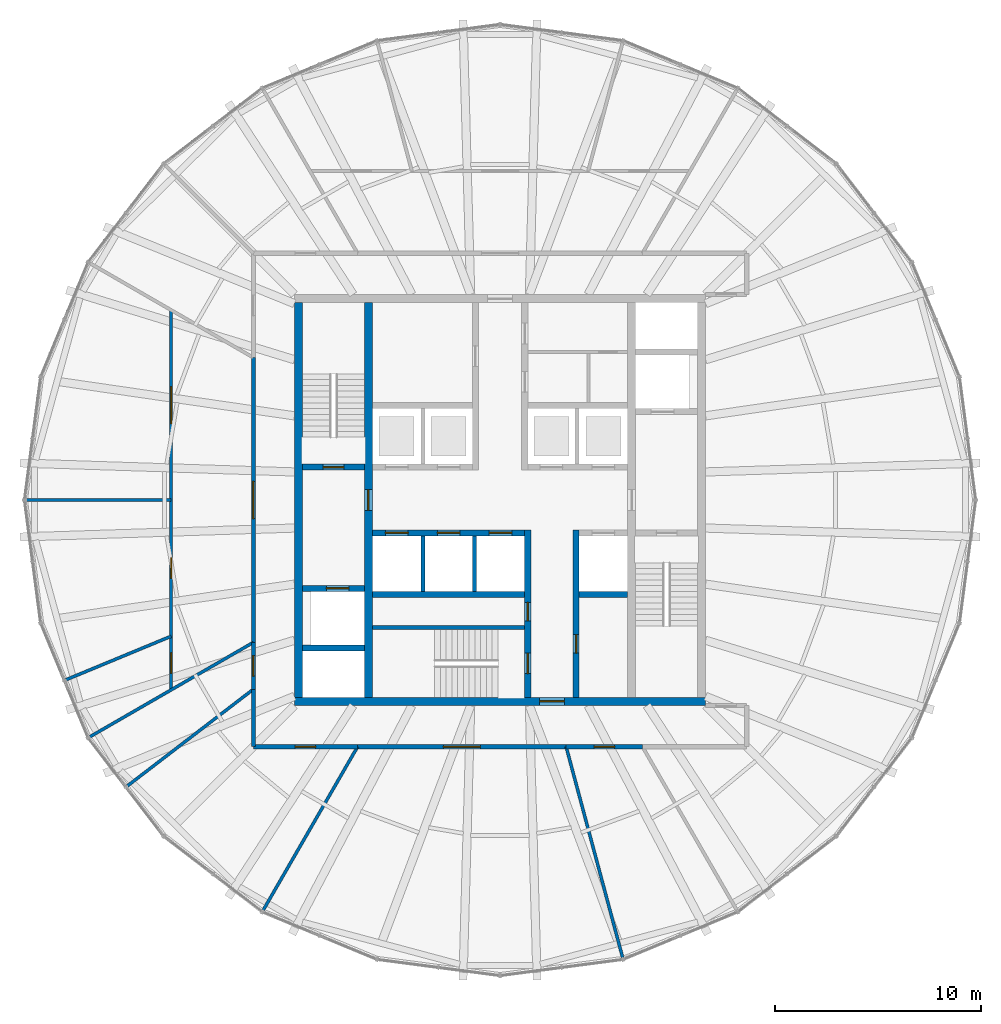
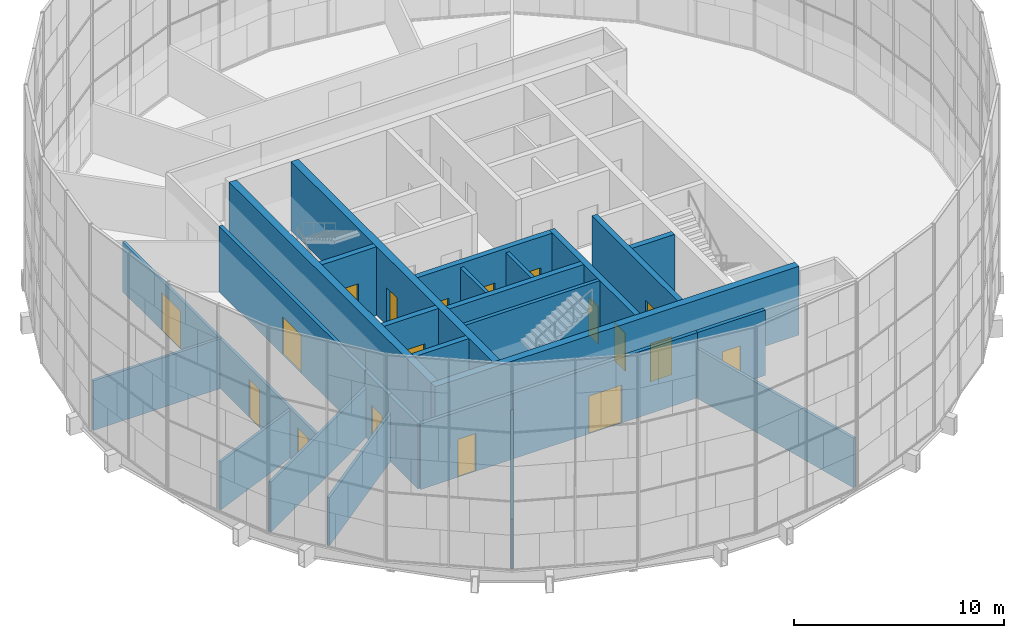
# One storey, part 19 of 23: 27 walls, 18 doors, 18 openings.
"""IFC4 building model written with IfcOpenShell, lengths in metres."""

import ifcopenshell
import ifcopenshell.guid

model = None  # the IFC model being written
_history = None  # IfcOwnerHistory: only IFC2X3 demands one
_inside = {}  # id of a spatial element -> (the spatial element, [elements in it])
_under = {}  # id of a project, library or spatial element -> (it, [spatial elements below it])
_declared = {}  # id of a project -> (the project, [libraries it declares])
_typed = {}  # id of a type object -> (the type object, [elements of that type])
_made_of = {}  # id of a material, layer set ... -> (it, [elements and type objects made of it])


def new_model(schema):
    """Start an empty IFC model of exactly this schema.

    Asked for "IFC4X3", IfcOpenShell would pick the latest addendum, in which some entities
    have other attributes; the version numbers below select the first issue.
    IFC2X3 requires an IfcOwnerHistory on every rooted entity: one is made here for all.
    """
    global model, _history
    if schema == "IFC4X3":
        model = ifcopenshell.file(schema_version=(4, 3, 0, 0))
    else:
        model = ifcopenshell.file(schema=schema)
    _inside.clear()
    _under.clear()
    _declared.clear()
    _typed.clear()
    _made_of.clear()
    _history = None
    if model.schema == "IFC2X3":
        org = make("IfcOrganization", Name="unknown")
        user = make(
            "IfcPersonAndOrganization",
            ThePerson=make("IfcPerson", FamilyName="unknown"),
            TheOrganization=org,
        )
        app = make(
            "IfcApplication",
            ApplicationDeveloper=org,
            Version="unknown",
            ApplicationFullName="unknown",
            ApplicationIdentifier="unknown",
        )
        _history = make(
            "IfcOwnerHistory",
            OwningUser=user,
            OwningApplication=app,
            ChangeAction="ADDED",
            CreationDate=0,
        )
    return model


def make(cls, **values):
    """One entity of the class cls with the attributes given. An attribute that is None is left unset."""
    return model.create_entity(
        cls, **{name: value for name, value in values.items() if value is not None}
    )


def rooted(cls, **values):
    """An entity with a GlobalId (a new one), such as an element, a storey or a relation."""
    return make(cls, GlobalId=ifcopenshell.guid.new(), OwnerHistory=_history, **values)


def si_unit(unit_type, name, prefix=None):
    """IfcSIUnit, for example si_unit("LENGTHUNIT", "METRE", prefix="MILLI")."""
    return make("IfcSIUnit", UnitType=unit_type, Prefix=prefix, Name=name)


def assignment(units):
    """IfcUnitAssignment: the units of a project."""
    return None if units is None else make("IfcUnitAssignment", Units=units)


def point(xyz):
    """IfcCartesianPoint."""
    return None if xyz is None else make("IfcCartesianPoint", Coordinates=xyz)


def direction(xyz):
    """IfcDirection."""
    return None if xyz is None else make("IfcDirection", DirectionRatios=xyz)


def frame(location, z_axis=None, x_axis=None):
    """IfcAxis2Placement3D, a coordinate frame: its origin and axes. An axis left out is left unset."""
    return make(
        "IfcAxis2Placement3D",
        Location=point(location),
        Axis=direction(z_axis),
        RefDirection=direction(x_axis),
    )


def frame_2d(location, x_axis=None):
    """IfcAxis2Placement2D, a coordinate frame in the plane: its origin and x axis."""
    return make(
        "IfcAxis2Placement2D", Location=point(location), RefDirection=direction(x_axis)
    )


def origin():
    """The frame at (0, 0, 0) with its axes left unset."""
    return frame((0.0, 0.0, 0.0))


def place(relative_to, where):
    """IfcLocalPlacement: puts the frame where relative to a parent placement (None: the world)."""
    return make(
        "IfcLocalPlacement", PlacementRelTo=relative_to, RelativePlacement=where
    )


def context(
    kind, dimensions, precision=None, world=None, true_north=None, identifier=None
):
    """IfcGeometricRepresentationContext, for example the 3D "Model" context."""
    return make(
        "IfcGeometricRepresentationContext",
        ContextIdentifier=identifier,
        ContextType=kind,
        CoordinateSpaceDimension=dimensions,
        Precision=precision,
        WorldCoordinateSystem=world,
        TrueNorth=true_north,
    )


def subcontext(parent, identifier, kind, view, scale=None):
    """IfcGeometricRepresentationSubContext, for example "Body" below "Model"."""
    return make(
        "IfcGeometricRepresentationSubContext",
        ContextIdentifier=identifier,
        ContextType=kind,
        ParentContext=parent,
        TargetScale=scale,
        TargetView=view,
    )


def project(units=None, contexts=None):
    """IfcProject with its units and contexts."""
    return rooted(
        "IfcProject",
        Name="project",
        RepresentationContexts=contexts,
        UnitsInContext=assignment(units),
    )


def spatial(cls, under=None, at=None, **own):
    """A site, building, storey or space (cls), placed at a placement, below another one or the project."""
    s = rooted(cls, ObjectPlacement=at, **own)
    if under is not None:
        _under.setdefault(under.id(), (under, []))[1].append(s)
    return s


def profile(cls, at=None, kind="AREA", **sizes):
    """A parametric profile (cls). Its sizes go by their IFC names, for example OverallWidth=200.0."""
    return make(cls, ProfileType=kind, Position=at, **sizes)


def rectangle(**sizes):
    """IfcRectangleProfileDef."""
    return profile("IfcRectangleProfileDef", **sizes)


def extrude(swept, where, along, depth):
    """IfcExtrudedAreaSolid: the profile swept, set in the frame where, extruded along a direction by depth."""
    return make(
        "IfcExtrudedAreaSolid",
        SweptArea=swept,
        Position=where,
        ExtrudedDirection=direction(along),
        Depth=depth,
    )


def shape(context_of_items, identifier, shape_type, items):
    """IfcShapeRepresentation: the items that make up one representation, for example the "Body"."""
    return make(
        "IfcShapeRepresentation",
        ContextOfItems=context_of_items,
        RepresentationIdentifier=identifier,
        RepresentationType=shape_type,
        Items=items,
    )


def material(Name=None, Category=None):
    """IfcMaterial."""
    return make("IfcMaterial", Name=Name, Category=Category)


def layer(
    of_material, thickness, ventilated=None, Name=None, Category=None, Priority=None
):
    """IfcMaterialLayer: one layer of a wall or slab, of a material (None: an air gap)."""
    return make(
        "IfcMaterialLayer",
        Material=of_material,
        LayerThickness=thickness,
        IsVentilated=ventilated,
        Name=Name,
        Category=Category,
        Priority=Priority,
    )


def layer_set(layers, Name=None):
    """IfcMaterialLayerSet."""
    return make("IfcMaterialLayerSet", MaterialLayers=layers, LayerSetName=Name)


def made_of(thing, what):
    """Note that an element or type object is made of a material, layer set ...; save() writes the relation."""
    if what is not None:
        _made_of.setdefault(what.id(), (what, []))[1].append(thing)
    return thing


def type_object(cls, material=None, **own):
    """A type object (cls), such as IfcWallType, which elements share."""
    return made_of(rooted(cls, **own), material)


def element(
    cls,
    number,
    at=None,
    inside=None,
    cuts=None,
    type_object=None,
    material=None,
    context=None,
    identifier="Body",
    shape_type=None,
    held_by="IfcProductDefinitionShape",
    body=None,
    shapes=None,
    **own,
):
    """One element of the class cls, such as IfcWall. Its Tag is "e" and its number.

    at: its placement. inside: the storey or other place that contains it. cuts: it is an
    opening in that element (IfcRelVoidsElement). A single representation is given by context,
    identifier, shape_type and body (its items); several are given by shapes. held_by: the class
    of the entity that holds the representations. save() writes the other relations.
    """
    e = rooted(cls, Tag="e%d" % number, ObjectPlacement=at, **own)
    if body is not None:
        shapes = [shape(context, identifier, shape_type, body)]
    if shapes is not None:
        e.Representation = make(held_by, Representations=shapes)
    if inside is not None:
        _inside.setdefault(inside.id(), (inside, []))[1].append(e)
    if cuts is not None:
        rooted(
            "IfcRelVoidsElement", RelatingBuildingElement=cuts, RelatedOpeningElement=e
        )
    if type_object is not None:
        _typed.setdefault(type_object.id(), (type_object, []))[1].append(e)
    return made_of(e, material)


def fill(opening, filler):
    """IfcRelFillsElement: the door or window that sits in an opening."""
    return rooted(
        "IfcRelFillsElement",
        RelatingOpeningElement=opening,
        RelatedBuildingElement=filler,
    )


def aggregate(whole, parts):
    """IfcRelAggregates: a whole, such as a stair, and the parts it consists of."""
    return rooted("IfcRelAggregates", RelatingObject=whole, RelatedObjects=parts)


def save(model, path):
    """Write the relations noted so far, then the file.

    IfcRelAggregates (storeys below a building ...), IfcRelContainedInSpatialStructure (elements
    in a storey), IfcRelDefinesByType, IfcRelAssociatesMaterial and IfcRelDeclares: one each for
    every whole, place, type object, material and project.
    """
    for whole, parts in _under.values():
        aggregate(whole, parts)
    for where, things in _inside.values():
        rooted(
            "IfcRelContainedInSpatialStructure",
            RelatedElements=things,
            RelatingStructure=where,
        )
    for kind, things in _typed.values():
        rooted("IfcRelDefinesByType", RelatedObjects=things, RelatingType=kind)
    for what, things in _made_of.values():
        rooted("IfcRelAssociatesMaterial", RelatedObjects=things, RelatingMaterial=what)
    for by, libraries in _declared.values():
        rooted("IfcRelDeclares", RelatingContext=by, RelatedDefinitions=libraries)
    model.write(path)


model = new_model("IFC4")

# Units and contexts
model_context = context("Model", 3, precision=1e-05, world=origin(), true_north=direction((0.0, 1.0)))
body_context = subcontext(model_context, "Body", "Model", "MODEL_VIEW")
ifc_project = project(units=[si_unit("LENGTHUNIT", "METRE"), si_unit("AREAUNIT", "SQUARE_METRE"), si_unit("VOLUMEUNIT", "CUBIC_METRE"), si_unit("PLANEANGLEUNIT", "RADIAN"), si_unit("MASSUNIT", "GRAM", prefix="KILO")], contexts=[model_context])

# Site, building, storey
site_placement = place(None, origin())
site = spatial("IfcSite", under=ifc_project, at=site_placement, CompositionType="ELEMENT")
building_placement = place(site_placement, origin())
building = spatial("IfcBuilding", under=site, at=building_placement, Name="Golbaran Civic Tower", CompositionType="ELEMENT")
storey_placement = place(building_placement, frame((0.0, 0.0, 220.0)))
storey = spatial("IfcBuildingStorey", under=building, at=storey_placement, Name="L53", CompositionType="ELEMENT", Elevation=220.0)

# Wall, opening, door
ifc_material_1 = material(Name="Concrete C50/60", Category="concrete")
ifc_layer_1 = layer(ifc_material_1, 0.39990234375, Name="Concrete C50/60")
ifc_layer_set_1 = layer_set([ifc_layer_1], Name="Concrete C50/60")
wall_type_1 = type_object("IfcWallType", Name="CORE WALL CONCRETE 400", PredefinedType="SOLIDWALL", material=ifc_layer_set_1)
wall_1_placement = place(storey_placement, frame((10.0, -9.800048828125, 0.0), z_axis=(0.0, 0.0, 1.0), x_axis=(-1.0, 0.0, 0.0)))
wall_1 = element("IfcWall", 1, at=wall_1_placement, inside=storey, type_object=wall_type_1, Name="Core wall CS L53", PredefinedType="SOLIDWALL", context=body_context, shape_type="SweptSolid", body=[
    extrude(rectangle(XDim=20.0, YDim=0.39990234375, at=frame_2d((10.0, 0.0))), origin(), (0.0, 0.0, 1.0), 4.0),
])
opening_1_placement = place(wall_1_placement, frame((6.875, 0.0, 0.0)))
opening_1 = element("IfcOpeningElement", 2, at=opening_1_placement, cuts=wall_1, Name="Opening L53.CS", PredefinedType="OPENING", context=body_context, shape_type="SweptSolid", body=[
    extrude(rectangle(XDim=1.199951171875, YDim=2.199951171875, at=frame_2d((0.60009765625, 1.10009765625))), frame((0.0, 0.2099609375, 0.0), z_axis=(0.0, -1.0, 0.0), x_axis=(1.0, 0.0, 0.0)), (0.0, 0.0, 1.0), 0.419921875),
])
ifc_material_2 = material(Name="Timber door set in steel frame", Category="steel")
door_type_1 = type_object("IfcDoorType", Name="CORE DOOR 1200x2200", OperationType="DOUBLE_DOOR_SINGLE_SWING", PredefinedType="DOOR", material=ifc_material_2)
door_1_placement = place(opening_1_placement, origin())
door_1 = element("IfcDoor", 3, at=door_1_placement, inside=storey, type_object=door_type_1, Name="Core door south", OperationType="DOUBLE_DOOR_SINGLE_SWING", OverallHeight=2.199951171875, OverallWidth=1.199951171875, PredefinedType="DOOR", context=body_context, shape_type="SweptSolid", body=[
    extrude(rectangle(XDim=1.199951171875, YDim=2.199951171875, at=frame_2d((0.60009765625, 1.10009765625))), frame((0.0, 0.02490234375, 0.0), z_axis=(0.0, -1.0, 0.0), x_axis=(1.0, 0.0, 0.0)), (0.0, 0.0, 1.0), 0.050048828125),
])
fill(opening_1, door_1)

# Wall
wall_2_placement = place(storey_placement, frame((-9.800048828125, 9.60009765625, 0.0), z_axis=(0.0, 0.0, 1.0), x_axis=(0.0, -1.0, 0.0)))
element("IfcWall", 4, at=wall_2_placement, inside=storey, type_object=wall_type_1, Name="Core wall CW L53", PredefinedType="SOLIDWALL", context=body_context, shape_type="SweptSolid", body=[
    extrude(rectangle(XDim=19.2001953125, YDim=0.39990234375, at=frame_2d((9.60009765625, 0.0))), origin(), (0.0, 0.0, 1.0), 4.0),
])

# Wall, opening, door
wall_3_placement = place(storey_placement, frame((-6.39990234375, -9.60009765625, 0.0), z_axis=(0.0, 0.0, 1.0), x_axis=(0.0, 1.0, 0.0)))
wall_3 = element("IfcWall", 5, at=wall_3_placement, inside=storey, type_object=wall_type_1, Name="Core wall IW L53", PredefinedType="SOLIDWALL", context=body_context, shape_type="SweptSolid", body=[
    extrude(rectangle(XDim=19.2001953125, YDim=0.39990234375, at=frame_2d((9.60009765625, 0.0))), origin(), (0.0, 0.0, 1.0), 4.0),
])
opening_2_placement = place(wall_3_placement, frame((9.10009765625, 0.0, 0.0)))
opening_2 = element("IfcOpeningElement", 6, at=opening_2_placement, cuts=wall_3, Name="Opening L53.FL1", PredefinedType="OPENING", context=body_context, shape_type="SweptSolid", body=[
    extrude(rectangle(XDim=1.0, YDim=2.199951171875, at=frame_2d((0.5, 1.10009765625))), frame((0.0, 0.2099609375, 0.0), z_axis=(0.0, -1.0, 0.0), x_axis=(1.0, 0.0, 0.0)), (0.0, 0.0, 1.0), 0.419921875),
])
door_type_2 = type_object("IfcDoorType", Name="STAIR DOOR 1000x2200", OperationType="SINGLE_SWING_LEFT", PredefinedType="DOOR", material=ifc_material_2)
door_2_placement = place(opening_2_placement, origin())
door_2 = element("IfcDoor", 7, at=door_2_placement, inside=storey, type_object=door_type_2, Name="Fire-fighting lobby FL1 door", OperationType="SINGLE_SWING_LEFT", OverallHeight=2.199951171875, OverallWidth=1.0, PredefinedType="DOOR", context=body_context, shape_type="SweptSolid", body=[
    extrude(rectangle(XDim=1.0, YDim=2.199951171875, at=frame_2d((0.5, 1.10009765625))), frame((0.0, 0.02490234375, 0.0), z_axis=(0.0, -1.0, 0.0), x_axis=(1.0, 0.0, 0.0)), (0.0, 0.0, 1.0), 0.050048828125),
])
fill(opening_2, door_2)

ifc_material_3 = material(Name="Gypsum board on steel studs, fire-rated", Category="steel")
ifc_layer_2 = layer(ifc_material_3, 0.199951171875, Name="Gypsum board on steel studs, fire-rated")
ifc_layer_set_2 = layer_set([ifc_layer_2], Name="Gypsum board on steel studs, fire-rated")
wall_type_2 = type_object("IfcWallType", Name="CORRIDOR WALL 200", PredefinedType="PARTITIONING", material=ifc_layer_set_2)
wall_4_placement = place(storey_placement, frame((-12.0, 6.92822265625, 0.0), z_axis=(0.0, 0.0, 1.0), x_axis=(0.0, -1.0, 0.0)))
wall_4 = element("IfcWall", 8, at=wall_4_placement, inside=storey, type_object=wall_type_2, Name="Corridor wall L53", PredefinedType="PARTITIONING", context=body_context, shape_type="SweptSolid", body=[
    extrude(rectangle(XDim=13.8564453125, YDim=0.199951171875, at=frame_2d((6.92822265625, 0.0))), origin(), (0.0, 0.0, 1.0), 3.800048828125),
])
opening_3_placement = place(wall_4_placement, frame((6.0283203125, 0.0, 0.0)))
opening_3 = element("IfcOpeningElement", 9, at=opening_3_placement, cuts=wall_4, Name="Opening L53.10", PredefinedType="OPENING", context=body_context, shape_type="SweptSolid", body=[
    extrude(rectangle(XDim=1.800048828125, YDim=2.199951171875, at=frame_2d((0.89990234375, 1.10009765625))), frame((0.0, 0.10986328125, 0.0), z_axis=(0.0, -1.0, 0.0), x_axis=(1.0, 0.0, 0.0)), (0.0, 0.0, 1.0), 0.219970703125),
])
door_type_3 = type_object("IfcDoorType", Name="OFFICE DOUBLE DOOR 1800x2200", OperationType="DOUBLE_DOOR_SINGLE_SWING", PredefinedType="DOOR", material=ifc_material_2)
door_3_placement = place(opening_3_placement, origin())
door_3 = element("IfcDoor", 10, at=door_3_placement, inside=storey, type_object=door_type_3, Name="Secretariat door L53", OperationType="DOUBLE_DOOR_SINGLE_SWING", OverallHeight=2.199951171875, OverallWidth=1.800048828125, PredefinedType="DOOR", context=body_context, shape_type="SweptSolid", body=[
    extrude(rectangle(XDim=1.800048828125, YDim=2.199951171875, at=frame_2d((0.89990234375, 1.10009765625))), frame((0.0, 0.02490234375, 0.0), z_axis=(0.0, -1.0, 0.0), x_axis=(1.0, 0.0, 0.0)), (0.0, 0.0, 1.0), 0.050048828125),
])
fill(opening_3, door_3)

wall_5_placement = place(storey_placement, frame((-12.0, -6.92822265625, 0.0), z_axis=(0.0, 0.0, 1.0), x_axis=(0.0, -1.0, 0.0)))
wall_5 = element("IfcWall", 11, at=wall_5_placement, inside=storey, type_object=wall_type_2, Name="Corridor wall L53", PredefinedType="PARTITIONING", context=body_context, shape_type="SweptSolid", body=[
    extrude(rectangle(XDim=2.27978515625, YDim=0.199951171875, at=frame_2d((1.139892578125, 0.0))), origin(), (0.0, 0.0, 1.0), 3.800048828125),
])
opening_4_placement = place(wall_5_placement, frame((0.639892578125, 0.0, 0.0)))
opening_4 = element("IfcOpeningElement", 12, at=opening_4_placement, cuts=wall_5, Name="Opening L53.11", PredefinedType="OPENING", context=body_context, shape_type="SweptSolid", body=[
    extrude(rectangle(XDim=1.0, YDim=2.199951171875, at=frame_2d((0.5, 1.10009765625))), frame((0.0, 0.10986328125, 0.0), z_axis=(0.0, -1.0, 0.0), x_axis=(1.0, 0.0, 0.0)), (0.0, 0.0, 1.0), 0.219970703125),
])
door_type_4 = type_object("IfcDoorType", Name="OFFICE DOOR 1000x2200", OperationType="SINGLE_SWING_LEFT", PredefinedType="DOOR", material=ifc_material_2)
door_4_placement = place(opening_4_placement, origin())
door_4 = element("IfcDoor", 13, at=door_4_placement, inside=storey, type_object=door_type_4, Name="Office door L53", OperationType="SINGLE_SWING_RIGHT", OverallHeight=2.199951171875, OverallWidth=1.0, PredefinedType="DOOR", context=body_context, shape_type="SweptSolid", body=[
    extrude(rectangle(XDim=1.0, YDim=2.199951171875, at=frame_2d((0.5, 1.10009765625))), frame((0.0, 0.02490234375, 0.0), z_axis=(0.0, -1.0, 0.0), x_axis=(1.0, 0.0, 0.0)), (0.0, 0.0, 1.0), 0.050048828125),
])
fill(opening_4, door_4)

# Wall
wall_6_placement = place(storey_placement, frame((-12.0, -9.2080078125, 0.0), z_axis=(0.0, 0.0, 1.0), x_axis=(0.0, -1.0, 0.0)))
element("IfcWall", 14, at=wall_6_placement, inside=storey, type_object=wall_type_2, Name="Corridor wall L53", PredefinedType="PARTITIONING", context=body_context, shape_type="SweptSolid", body=[
    extrude(rectangle(XDim=2.7919921875, YDim=0.199951171875, at=frame_2d((1.39599609375, 0.0))), origin(), (0.0, 0.0, 1.0), 3.800048828125),
])

# Wall, opening, door
wall_7_placement = place(storey_placement, frame((-12.0, -12.0, 0.0), z_axis=(0.0, 0.0, 1.0), x_axis=(1.0, 0.0, 0.0)))
wall_7 = element("IfcWall", 15, at=wall_7_placement, inside=storey, type_object=wall_type_2, Name="Corridor wall L53", PredefinedType="PARTITIONING", context=body_context, shape_type="SweptSolid", body=[
    extrude(rectangle(XDim=5.07177734375, YDim=0.199951171875, at=frame_2d((2.535888671875, 0.0))), origin(), (0.0, 0.0, 1.0), 3.800048828125),
])
opening_5_placement = place(wall_7_placement, frame((2.035888671875, 0.0, 0.0)))
opening_5 = element("IfcOpeningElement", 16, at=opening_5_placement, cuts=wall_7, Name="Opening L53.12", PredefinedType="OPENING", context=body_context, shape_type="SweptSolid", body=[
    extrude(rectangle(XDim=1.0, YDim=2.199951171875, at=frame_2d((0.5, 1.10009765625))), frame((0.0, 0.10986328125, 0.0), z_axis=(0.0, -1.0, 0.0), x_axis=(1.0, 0.0, 0.0)), (0.0, 0.0, 1.0), 0.219970703125),
])
door_5_placement = place(opening_5_placement, origin())
door_5 = element("IfcDoor", 17, at=door_5_placement, inside=storey, type_object=door_type_4, Name="Meeting Room door L53", OperationType="SINGLE_SWING_LEFT", OverallHeight=2.199951171875, OverallWidth=1.0, PredefinedType="DOOR", context=body_context, shape_type="SweptSolid", body=[
    extrude(rectangle(XDim=1.0, YDim=2.199951171875, at=frame_2d((0.5, 1.10009765625))), frame((0.0, 0.02490234375, 0.0), z_axis=(0.0, -1.0, 0.0), x_axis=(1.0, 0.0, 0.0)), (0.0, 0.0, 1.0), 0.050048828125),
])
fill(opening_5, door_5)

wall_8_placement = place(storey_placement, frame((-6.92822265625, -12.0, 0.0), z_axis=(0.0, 0.0, 1.0), x_axis=(1.0, 0.0, 0.0)))
wall_8 = element("IfcWall", 18, at=wall_8_placement, inside=storey, type_object=wall_type_2, Name="Corridor wall L53", PredefinedType="PARTITIONING", context=body_context, shape_type="SweptSolid", body=[
    extrude(rectangle(XDim=10.1435546875, YDim=0.199951171875, at=frame_2d((5.07177734375, 0.0))), origin(), (0.0, 0.0, 1.0), 3.800048828125),
])
opening_6_placement = place(wall_8_placement, frame((4.171875, 0.0, 0.0)))
opening_6 = element("IfcOpeningElement", 19, at=opening_6_placement, cuts=wall_8, Name="Opening L53.13", PredefinedType="OPENING", context=body_context, shape_type="SweptSolid", body=[
    extrude(rectangle(XDim=1.800048828125, YDim=2.199951171875, at=frame_2d((0.89990234375, 1.10009765625))), frame((0.0, 0.10986328125, 0.0), z_axis=(0.0, -1.0, 0.0), x_axis=(1.0, 0.0, 0.0)), (0.0, 0.0, 1.0), 0.219970703125),
])
door_6_placement = place(opening_6_placement, origin())
door_6 = element("IfcDoor", 20, at=door_6_placement, inside=storey, type_object=door_type_3, Name="Sky Lobby door L53", OperationType="DOUBLE_DOOR_SINGLE_SWING", OverallHeight=2.199951171875, OverallWidth=1.800048828125, PredefinedType="DOOR", context=body_context, shape_type="SweptSolid", body=[
    extrude(rectangle(XDim=1.800048828125, YDim=2.199951171875, at=frame_2d((0.89990234375, 1.10009765625))), frame((0.0, 0.02490234375, 0.0), z_axis=(0.0, -1.0, 0.0), x_axis=(1.0, 0.0, 0.0)), (0.0, 0.0, 1.0), 0.050048828125),
])
fill(opening_6, door_6)

wall_9_placement = place(storey_placement, frame((3.21533203125, -12.0, 0.0), z_axis=(0.0, 0.0, 1.0), x_axis=(1.0, 0.0, 0.0)))
wall_9 = element("IfcWall", 21, at=wall_9_placement, inside=storey, type_object=wall_type_2, Name="Corridor wall L53", PredefinedType="PARTITIONING", context=body_context, shape_type="SweptSolid", body=[
    extrude(rectangle(XDim=3.712890625, YDim=0.199951171875, at=frame_2d((1.8564453125, 0.0))), origin(), (0.0, 0.0, 1.0), 3.800048828125),
])
opening_7_placement = place(wall_9_placement, frame((1.3564453125, 0.0, 0.0)))
opening_7 = element("IfcOpeningElement", 22, at=opening_7_placement, cuts=wall_9, Name="Opening L53.14", PredefinedType="OPENING", context=body_context, shape_type="SweptSolid", body=[
    extrude(rectangle(XDim=1.0, YDim=2.199951171875, at=frame_2d((0.5, 1.10009765625))), frame((0.0, 0.10986328125, 0.0), z_axis=(0.0, -1.0, 0.0), x_axis=(1.0, 0.0, 0.0)), (0.0, 0.0, 1.0), 0.219970703125),
])
door_7_placement = place(opening_7_placement, origin())
door_7 = element("IfcDoor", 23, at=door_7_placement, inside=storey, type_object=door_type_4, Name="Project Room door L53", OperationType="SINGLE_SWING_LEFT", OverallHeight=2.199951171875, OverallWidth=1.0, PredefinedType="DOOR", context=body_context, shape_type="SweptSolid", body=[
    extrude(rectangle(XDim=1.0, YDim=2.199951171875, at=frame_2d((0.5, 1.10009765625))), frame((0.0, 0.02490234375, 0.0), z_axis=(0.0, -1.0, 0.0), x_axis=(1.0, 0.0, 0.0)), (0.0, 0.0, 1.0), 0.050048828125),
])
fill(opening_7, door_7)

# Walls
ifc_material_4 = material(Name="Concrete block", Category="concrete")
ifc_layer_3 = layer(ifc_material_4, 0.199951171875, Name="Concrete block")
ifc_layer_set_3 = layer_set([ifc_layer_3], Name="Concrete block")
wall_type_3 = type_object("IfcWallType", Name="LIFT SEPARATOR WALL 200", PredefinedType="SOLIDWALL", material=ifc_layer_set_3)
for number, where, z_axis, x_axis, name in (
    (24, (-3.75, -1.75, 0.0), (0.0, 0.0, 1.0), (0.0, -1.0, 0.0), "Core partition SSW L53"),
    (25, (-1.25, -1.75, 0.0), (0.0, 0.0, 1.0), (0.0, -1.0, 0.0), "Core partition SSM L53"),
):
    element("IfcWall", number, at=place(storey_placement, frame(where, z_axis=z_axis, x_axis=x_axis)), inside=storey, type_object=wall_type_3, Name=name, PredefinedType="SOLIDWALL", context=body_context, shape_type="SweptSolid", body=[
        extrude(rectangle(XDim=2.699951171875, YDim=0.199951171875, at=frame_2d((1.35009765625, 0.0))), origin(), (0.0, 0.0, 1.0), 3.75),
    ])
ifc_material_5 = material(Name="Gypsum board on steel studs", Category="steel")
ifc_layer_4 = layer(ifc_material_5, 0.14990234375, Name="Gypsum board on steel studs")
ifc_layer_set_4 = layer_set([ifc_layer_4], Name="Gypsum board on steel studs")
wall_type_4 = type_object("IfcWallType", Name="OFFICE PARTITION 150", PredefinedType="PARTITIONING", material=ifc_layer_set_4)
wall_10_placement = place(storey_placement, frame((-12.0, -6.92822265625, 0.0), z_axis=(0.0, 0.0, 1.0), x_axis=(-0.866021843099, -0.500006167237, 0.0)))
element("IfcWall", 26, at=wall_10_placement, inside=storey, type_object=wall_type_4, Name="Partition 210 L53", PredefinedType="PARTITIONING", context=body_context, shape_type="SweptSolid", body=[
    extrude(rectangle(XDim=9.18701171875, YDim=0.14990234375, at=frame_2d((4.593505859375, 0.0))), origin(), (0.0, 0.0, 1.0), 2.889892578125),
])
wall_11_placement = place(storey_placement, frame((-12.0, -9.2080078125, 0.0), z_axis=(0.0, 0.0, 1.0), x_axis=(-0.793364023141, -0.608747506595, 0.0)))
element("IfcWall", 27, at=wall_11_placement, inside=storey, type_object=wall_type_4, Name="Partition 217.5 L53", PredefinedType="PARTITIONING", context=body_context, shape_type="SweptSolid", body=[
    extrude(rectangle(XDim=7.72021484375, YDim=0.14990234375, at=frame_2d((3.860107421875, 0.0))), origin(), (0.0, 0.0, 1.0), 2.7900390625),
])
wall_12_placement = place(storey_placement, frame((-6.92822265625, -12.0, 0.0), z_axis=(0.0, 0.0, 1.0), x_axis=(-0.500006167237, -0.866021843099, 0.0)))
element("IfcWall", 28, at=wall_12_placement, inside=storey, type_object=wall_type_4, Name="Partition 240 L53", PredefinedType="PARTITIONING", context=body_context, shape_type="SweptSolid", body=[
    extrude(rectangle(XDim=9.18701171875, YDim=0.14990234375, at=frame_2d((4.593505859375, 0.0))), origin(), (0.0, 0.0, 1.0), 2.889892578125),
])
wall_13_placement = place(storey_placement, frame((3.21533203125, -12.0, 0.0), z_axis=(0.0, 0.0, 1.0), x_axis=(0.258831459304, -0.965922499828, 0.0)))
element("IfcWall", 29, at=wall_13_placement, inside=storey, type_object=wall_type_4, Name="Partition 285 L53", PredefinedType="PARTITIONING", context=body_context, shape_type="SweptSolid", body=[
    extrude(rectangle(XDim=10.619873046875, YDim=0.14990234375, at=frame_2d((5.31005859375, 0.0))), origin(), (0.0, 0.0, 1.0), 2.889892578125),
])

# Wall, openings, doors
wall_14_placement = place(storey_placement, frame((-16.0, 9.237548828125, 0.0), z_axis=(0.0, 0.0, 1.0), x_axis=(0.0, -1.0, 0.0)))
wall_14 = element("IfcWall", 30, at=wall_14_placement, inside=storey, type_object=wall_type_4, Name="Suite partition L53", PredefinedType="PARTITIONING", context=body_context, shape_type="SweptSolid", body=[
    extrude(rectangle(XDim=18.47509765625, YDim=0.14990234375, at=frame_2d((9.237548828125, 0.0))), origin(), (0.0, 0.0, 1.0), 2.889892578125),
])
opening_8_placement = place(wall_14_placement, frame((3.71875, 0.0, 0.0)))
opening_8 = element("IfcOpeningElement", 31, at=opening_8_placement, cuts=wall_14, Name="Opening L53.04", PredefinedType="OPENING", context=body_context, shape_type="SweptSolid", body=[
    extrude(rectangle(XDim=1.800048828125, YDim=2.199951171875, at=frame_2d((0.89990234375, 1.10009765625))), frame((0.0, 0.0849609375, 0.0), z_axis=(0.0, -1.0, 0.0), x_axis=(1.0, 0.0, 0.0)), (0.0, 0.0, 1.0), 0.169921875),
])
opening_9_placement = place(wall_14_placement, frame((12.05126953125, 0.0, 0.0)))
opening_9 = element("IfcOpeningElement", 32, at=opening_9_placement, cuts=wall_14, Name="Opening L53.05", PredefinedType="OPENING", context=body_context, shape_type="SweptSolid", body=[
    extrude(rectangle(XDim=1.0, YDim=2.199951171875, at=frame_2d((0.5, 1.10009765625))), frame((0.0, 0.0849609375, 0.0), z_axis=(0.0, -1.0, 0.0), x_axis=(1.0, 0.0, 0.0)), (0.0, 0.0, 1.0), 0.169921875),
])
opening_10_placement = place(wall_14_placement, frame((16.670166015625, 0.0, 0.0)))
opening_10 = element("IfcOpeningElement", 33, at=opening_10_placement, cuts=wall_14, Name="Opening L53.06", PredefinedType="OPENING", context=body_context, shape_type="SweptSolid", body=[
    extrude(rectangle(XDim=1.0, YDim=2.199951171875, at=frame_2d((0.5, 1.10009765625))), frame((0.0, 0.0849609375, 0.0), z_axis=(0.0, -1.0, 0.0), x_axis=(1.0, 0.0, 0.0)), (0.0, 0.0, 1.0), 0.169921875),
])
door_8_placement = place(opening_9_placement, origin())
door_8 = element("IfcDoor", 34, at=door_8_placement, inside=storey, type_object=door_type_4, Name="Assistants' Office door L53", OperationType="SINGLE_SWING_RIGHT", OverallHeight=2.199951171875, OverallWidth=1.0, PredefinedType="DOOR", context=body_context, shape_type="SweptSolid", body=[
    extrude(rectangle(XDim=1.0, YDim=2.199951171875, at=frame_2d((0.5, 1.10009765625))), frame((0.0, 0.02490234375, 0.0), z_axis=(0.0, -1.0, 0.0), x_axis=(1.0, 0.0, 0.0)), (0.0, 0.0, 1.0), 0.050048828125),
])
fill(opening_9, door_8)
door_9_placement = place(opening_10_placement, origin())
door_9 = element("IfcDoor", 35, at=door_9_placement, inside=storey, type_object=door_type_4, Name="Assistants' Office door L53", OperationType="SINGLE_SWING_RIGHT", OverallHeight=2.199951171875, OverallWidth=1.0, PredefinedType="DOOR", context=body_context, shape_type="SweptSolid", body=[
    extrude(rectangle(XDim=1.0, YDim=2.199951171875, at=frame_2d((0.5, 1.10009765625))), frame((0.0, 0.02490234375, 0.0), z_axis=(0.0, -1.0, 0.0), x_axis=(1.0, 0.0, 0.0)), (0.0, 0.0, 1.0), 0.050048828125),
])
fill(opening_10, door_9)
door_10_placement = place(opening_8_placement, origin())
door_10 = element("IfcDoor", 36, at=door_10_placement, inside=storey, type_object=door_type_3, Name="Office door L53", OperationType="DOUBLE_DOOR_SINGLE_SWING", OverallHeight=2.199951171875, OverallWidth=1.800048828125, PredefinedType="DOOR", context=body_context, shape_type="SweptSolid", body=[
    extrude(rectangle(XDim=1.800048828125, YDim=2.199951171875, at=frame_2d((0.89990234375, 1.10009765625))), frame((0.0, 0.02490234375, 0.0), z_axis=(0.0, -1.0, 0.0), x_axis=(1.0, 0.0, 0.0)), (0.0, 0.0, 1.0), 0.050048828125),
])
fill(opening_8, door_10)

# Walls
wall_15_placement = place(storey_placement, frame((-16.0, 0.0, 0.0), z_axis=(0.0, 0.0, 1.0), x_axis=(-1.0, 0.0, 0.0)))
element("IfcWall", 37, at=wall_15_placement, inside=storey, type_object=wall_type_4, Name="Partition 180 L53", PredefinedType="PARTITIONING", context=body_context, shape_type="SweptSolid", body=[
    extrude(rectangle(XDim=7.043212890625, YDim=0.14990234375, at=frame_2d((3.521484375, 0.0))), origin(), (0.0, 0.0, 1.0), 2.889892578125),
])
wall_16_placement = place(storey_placement, frame((-16.0, -6.62744140625, 0.0), z_axis=(0.0, 0.0, 1.0), x_axis=(-0.923872026087, -0.382701553975, 0.0)))
element("IfcWall", 38, at=wall_16_placement, inside=storey, type_object=wall_type_4, Name="Partition 202.5 L53", PredefinedType="PARTITIONING", context=body_context, shape_type="SweptSolid", body=[
    extrude(rectangle(XDim=5.52783203125, YDim=0.14990234375, at=frame_2d((2.763916015625, 0.0))), origin(), (0.0, 0.0, 1.0), 2.7900390625),
])
ifc_layer_5 = layer(ifc_material_1, 0.199951171875, Name="Concrete C50/60")
ifc_layer_set_5 = layer_set([ifc_layer_5], Name="Concrete C50/60")
wall_type_5 = type_object("IfcWallType", Name="SHAFT WALL CONCRETE 200", PredefinedType="SOLIDWALL", material=ifc_layer_set_5)
wall_17_placement = place(storey_placement, frame((-6.199951171875, -6.199951171875, 0.0), z_axis=(0.0, 0.0, 1.0), x_axis=(1.0, 0.0, 0.0)))
element("IfcWall", 39, at=wall_17_placement, inside=storey, type_object=wall_type_5, Name="Core wall S3N L53", PredefinedType="SOLIDWALL", context=body_context, shape_type="SweptSolid", body=[
    extrude(rectangle(XDim=7.39990234375, YDim=0.199951171875, at=frame_2d((3.699951171875, 0.0))), origin(), (0.0, 0.0, 1.0), 4.0),
])

# Wall, openings, doors
ifc_layer_6 = layer(ifc_material_1, 0.300048828125, Name="Concrete C50/60")
ifc_layer_set_6 = layer_set([ifc_layer_6], Name="Concrete C50/60")
wall_type_6 = type_object("IfcWallType", Name="SHAFT WALL CONCRETE 300", PredefinedType="SOLIDWALL", material=ifc_layer_set_6)
wall_18_placement = place(storey_placement, frame((-6.199951171875, -1.60009765625, 0.0), z_axis=(0.0, 0.0, 1.0), x_axis=(1.0, 0.0, 0.0)))
wall_18 = element("IfcWall", 40, at=wall_18_placement, inside=storey, type_object=wall_type_6, Name="Core wall FSW L53", PredefinedType="SOLIDWALL", context=body_context, shape_type="SweptSolid", body=[
    extrude(rectangle(XDim=7.39990234375, YDim=0.300048828125, at=frame_2d((3.699951171875, 0.0))), origin(), (0.0, 0.0, 1.0), 4.0),
])
opening_11_placement = place(wall_18_placement, frame((0.625, 0.0, 0.0)))
opening_11 = element("IfcOpeningElement", 41, at=opening_11_placement, cuts=wall_18, Name="Opening L53.LD-H1", PredefinedType="OPENING", context=body_context, shape_type="SweptSolid", body=[
    extrude(rectangle(XDim=1.10009765625, YDim=2.199951171875, at=frame_2d((0.550048828125, 1.10009765625))), frame((0.0, 0.159912109375, 0.0), z_axis=(0.0, -1.0, 0.0), x_axis=(1.0, 0.0, 0.0)), (0.0, 0.0, 1.0), 0.320068359375),
])
opening_12_placement = place(wall_18_placement, frame((3.14990234375, 0.0, 0.0)))
opening_12 = element("IfcOpeningElement", 42, at=opening_12_placement, cuts=wall_18, Name="Opening L53.LD-H2", PredefinedType="OPENING", context=body_context, shape_type="SweptSolid", body=[
    extrude(rectangle(XDim=1.10009765625, YDim=2.199951171875, at=frame_2d((0.550048828125, 1.10009765625))), frame((0.0, 0.159912109375, 0.0), z_axis=(0.0, -1.0, 0.0), x_axis=(1.0, 0.0, 0.0)), (0.0, 0.0, 1.0), 0.320068359375),
])
opening_13_placement = place(wall_18_placement, frame((5.675048828125, 0.0, 0.0)))
opening_13 = element("IfcOpeningElement", 43, at=opening_13_placement, cuts=wall_18, Name="Opening L53.LD-H3", PredefinedType="OPENING", context=body_context, shape_type="SweptSolid", body=[
    extrude(rectangle(XDim=1.10009765625, YDim=2.199951171875, at=frame_2d((0.550048828125, 1.10009765625))), frame((0.0, 0.159912109375, 0.0), z_axis=(0.0, -1.0, 0.0), x_axis=(1.0, 0.0, 0.0)), (0.0, 0.0, 1.0), 0.320068359375),
])
ifc_material_6 = material(Name="Stainless steel", Category="steel")
door_type_5 = type_object("IfcDoorType", Name="LIFT LANDING DOOR 1100x2200", OperationType="SLIDING_TO_LEFT", PredefinedType="DOOR", material=ifc_material_6)
door_11_placement = place(opening_11_placement, origin())
door_11 = element("IfcDoor", 44, at=door_11_placement, inside=storey, type_object=door_type_5, Name="Lift landing door H1", OperationType="SLIDING_TO_LEFT", OverallHeight=2.199951171875, OverallWidth=1.10009765625, PredefinedType="DOOR", context=body_context, shape_type="SweptSolid", body=[
    extrude(rectangle(XDim=1.10009765625, YDim=2.199951171875, at=frame_2d((0.550048828125, 1.10009765625))), frame((0.0, 0.02490234375, 0.0), z_axis=(0.0, -1.0, 0.0), x_axis=(1.0, 0.0, 0.0)), (0.0, 0.0, 1.0), 0.050048828125),
])
fill(opening_11, door_11)
door_12_placement = place(opening_12_placement, origin())
door_12 = element("IfcDoor", 45, at=door_12_placement, inside=storey, type_object=door_type_5, Name="Lift landing door H2", OperationType="SLIDING_TO_LEFT", OverallHeight=2.199951171875, OverallWidth=1.10009765625, PredefinedType="DOOR", context=body_context, shape_type="SweptSolid", body=[
    extrude(rectangle(XDim=1.10009765625, YDim=2.199951171875, at=frame_2d((0.550048828125, 1.10009765625))), frame((0.0, 0.02490234375, 0.0), z_axis=(0.0, -1.0, 0.0), x_axis=(1.0, 0.0, 0.0)), (0.0, 0.0, 1.0), 0.050048828125),
])
fill(opening_12, door_12)
door_13_placement = place(opening_13_placement, origin())
door_13 = element("IfcDoor", 46, at=door_13_placement, inside=storey, type_object=door_type_5, Name="Lift landing door H3", OperationType="SLIDING_TO_LEFT", OverallHeight=2.199951171875, OverallWidth=1.10009765625, PredefinedType="DOOR", context=body_context, shape_type="SweptSolid", body=[
    extrude(rectangle(XDim=1.10009765625, YDim=2.199951171875, at=frame_2d((0.550048828125, 1.10009765625))), frame((0.0, 0.02490234375, 0.0), z_axis=(0.0, -1.0, 0.0), x_axis=(1.0, 0.0, 0.0)), (0.0, 0.0, 1.0), 0.050048828125),
])
fill(opening_13, door_13)

# Walls
wall_19_placement = place(storey_placement, frame((-6.199951171875, -4.60009765625, 0.0), z_axis=(0.0, 0.0, 1.0), x_axis=(1.0, 0.0, 0.0)))
element("IfcWall", 47, at=wall_19_placement, inside=storey, type_object=wall_type_6, Name="Core wall BSW L53", PredefinedType="SOLIDWALL", context=body_context, shape_type="SweptSolid", body=[
    extrude(rectangle(XDim=7.39990234375, YDim=0.300048828125, at=frame_2d((3.699951171875, 0.0))), origin(), (0.0, 0.0, 1.0), 4.0),
])
wall_20_placement = place(storey_placement, frame((3.85009765625, -4.60009765625, 0.0), z_axis=(0.0, 0.0, 1.0), x_axis=(1.0, 0.0, 0.0)))
element("IfcWall", 48, at=wall_20_placement, inside=storey, type_object=wall_type_6, Name="Core wall BSE L53", PredefinedType="SOLIDWALL", context=body_context, shape_type="SweptSolid", body=[
    extrude(rectangle(XDim=2.349853515625, YDim=0.300048828125, at=frame_2d((1.1748046875, 0.0))), origin(), (0.0, 0.0, 1.0), 4.0),
])

# Wall, openings, doors
wall_21_placement = place(storey_placement, frame((1.35009765625, -1.449951171875, 0.0), z_axis=(0.0, 0.0, 1.0), x_axis=(0.0, -1.0, 0.0)))
wall_21 = element("IfcWall", 49, at=wall_21_placement, inside=storey, type_object=wall_type_6, Name="Core wall PSW L53", PredefinedType="SOLIDWALL", context=body_context, shape_type="SweptSolid", body=[
    extrude(rectangle(XDim=8.150146484375, YDim=0.300048828125, at=frame_2d((4.0751953125, 0.0))), origin(), (0.0, 0.0, 1.0), 4.0),
])
opening_14_placement = place(wall_21_placement, frame((6.0, 0.0, 0.0)))
opening_14 = element("IfcOpeningElement", 50, at=opening_14_placement, cuts=wall_21, Name="Opening L53.S3", PredefinedType="OPENING", context=body_context, shape_type="SweptSolid", body=[
    extrude(rectangle(XDim=1.0, YDim=2.199951171875, at=frame_2d((0.5, 1.10009765625))), frame((0.0, 0.159912109375, 0.0), z_axis=(0.0, -1.0, 0.0), x_axis=(1.0, 0.0, 0.0)), (0.0, 0.0, 1.0), 0.320068359375),
])
opening_15_placement = place(wall_21_placement, frame((3.52490234375, 0.0, 0.0)))
opening_15 = element("IfcOpeningElement", 51, at=opening_15_placement, cuts=wall_21, Name="Opening L53.RE", PredefinedType="OPENING", context=body_context, shape_type="SweptSolid", body=[
    extrude(rectangle(XDim=0.89990234375, YDim=2.199951171875, at=frame_2d((0.449951171875, 1.10009765625))), frame((0.0, 0.159912109375, 0.0), z_axis=(0.0, -1.0, 0.0), x_axis=(1.0, 0.0, 0.0)), (0.0, 0.0, 1.0), 0.320068359375),
])
door_type_6 = type_object("IfcDoorType", Name="RISER DOOR 900x2200", OperationType="SINGLE_SWING_LEFT", PredefinedType="DOOR", material=ifc_material_2)
door_14_placement = place(opening_15_placement, origin())
door_14 = element("IfcDoor", 52, at=door_14_placement, inside=storey, type_object=door_type_6, Name="Electrical riser door", OperationType="SINGLE_SWING_LEFT", OverallHeight=2.199951171875, OverallWidth=0.89990234375, PredefinedType="DOOR", context=body_context, shape_type="SweptSolid", body=[
    extrude(rectangle(XDim=0.89990234375, YDim=2.199951171875, at=frame_2d((0.449951171875, 1.10009765625))), frame((0.0, 0.02490234375, 0.0), z_axis=(0.0, -1.0, 0.0), x_axis=(1.0, 0.0, 0.0)), (0.0, 0.0, 1.0), 0.050048828125),
])
fill(opening_15, door_14)
door_15_placement = place(opening_14_placement, origin())
door_15 = element("IfcDoor", 53, at=door_15_placement, inside=storey, type_object=door_type_2, Name="Stair S3 door", OperationType="SINGLE_SWING_RIGHT", OverallHeight=2.199951171875, OverallWidth=1.0, PredefinedType="DOOR", context=body_context, shape_type="SweptSolid", body=[
    extrude(rectangle(XDim=1.0, YDim=2.199951171875, at=frame_2d((0.5, 1.10009765625))), frame((0.0, 0.02490234375, 0.0), z_axis=(0.0, -1.0, 0.0), x_axis=(1.0, 0.0, 0.0)), (0.0, 0.0, 1.0), 0.050048828125),
])
fill(opening_14, door_15)

# Wall, opening, door
wall_22_placement = place(storey_placement, frame((3.699951171875, -1.449951171875, 0.0), z_axis=(0.0, 0.0, 1.0), x_axis=(0.0, -1.0, 0.0)))
wall_22 = element("IfcWall", 54, at=wall_22_placement, inside=storey, type_object=wall_type_6, Name="Core wall PSE L53", PredefinedType="SOLIDWALL", context=body_context, shape_type="SweptSolid", body=[
    extrude(rectangle(XDim=8.150146484375, YDim=0.300048828125, at=frame_2d((4.0751953125, 0.0))), origin(), (0.0, 0.0, 1.0), 4.0),
])
opening_16_placement = place(wall_22_placement, frame((5.10009765625, 0.0, 0.0)))
opening_16 = element("IfcOpeningElement", 55, at=opening_16_placement, cuts=wall_22, Name="Opening L53.RM", PredefinedType="OPENING", context=body_context, shape_type="SweptSolid", body=[
    extrude(rectangle(XDim=0.89990234375, YDim=2.199951171875, at=frame_2d((0.449951171875, 1.10009765625))), frame((0.0, 0.159912109375, 0.0), z_axis=(0.0, -1.0, 0.0), x_axis=(1.0, 0.0, 0.0)), (0.0, 0.0, 1.0), 0.320068359375),
])
door_16_placement = place(opening_16_placement, origin())
door_16 = element("IfcDoor", 56, at=door_16_placement, inside=storey, type_object=door_type_6, Name="Mechanical riser door", OperationType="SINGLE_SWING_RIGHT", OverallHeight=2.199951171875, OverallWidth=0.89990234375, PredefinedType="DOOR", context=body_context, shape_type="SweptSolid", body=[
    extrude(rectangle(XDim=0.89990234375, YDim=2.199951171875, at=frame_2d((0.449951171875, 1.10009765625))), frame((0.0, 0.02490234375, 0.0), z_axis=(0.0, -1.0, 0.0), x_axis=(1.0, 0.0, 0.0)), (0.0, 0.0, 1.0), 0.050048828125),
])
fill(opening_16, door_16)

wall_23_placement = place(storey_placement, frame((-9.60009765625, 1.60009765625, 0.0), z_axis=(0.0, 0.0, 1.0), x_axis=(1.0, 0.0, 0.0)))
wall_23 = element("IfcWall", 57, at=wall_23_placement, inside=storey, type_object=wall_type_6, Name="Core wall XW1 L53", PredefinedType="SOLIDWALL", context=body_context, shape_type="SweptSolid", body=[
    extrude(rectangle(XDim=3.0, YDim=0.300048828125, at=frame_2d((1.5, 0.0))), origin(), (0.0, 0.0, 1.0), 4.0),
])
opening_17_placement = place(wall_23_placement, frame((1.0, 0.0, 0.0)))
opening_17 = element("IfcOpeningElement", 58, at=opening_17_placement, cuts=wall_23, Name="Opening L53.S1", PredefinedType="OPENING", context=body_context, shape_type="SweptSolid", body=[
    extrude(rectangle(XDim=1.0, YDim=2.199951171875, at=frame_2d((0.5, 1.10009765625))), frame((0.0, 0.159912109375, 0.0), z_axis=(0.0, -1.0, 0.0), x_axis=(1.0, 0.0, 0.0)), (0.0, 0.0, 1.0), 0.320068359375),
])
door_17_placement = place(opening_17_placement, origin())
door_17 = element("IfcDoor", 59, at=door_17_placement, inside=storey, type_object=door_type_2, Name="Stair S1 door", OperationType="SINGLE_SWING_LEFT", OverallHeight=2.199951171875, OverallWidth=1.0, PredefinedType="DOOR", context=body_context, shape_type="SweptSolid", body=[
    extrude(rectangle(XDim=1.0, YDim=2.199951171875, at=frame_2d((0.5, 1.10009765625))), frame((0.0, 0.02490234375, 0.0), z_axis=(0.0, -1.0, 0.0), x_axis=(1.0, 0.0, 0.0)), (0.0, 0.0, 1.0), 0.050048828125),
])
fill(opening_17, door_17)

wall_24_placement = place(storey_placement, frame((-9.60009765625, -4.300048828125, 0.0), z_axis=(0.0, 0.0, 1.0), x_axis=(1.0, 0.0, 0.0)))
wall_24 = element("IfcWall", 60, at=wall_24_placement, inside=storey, type_object=wall_type_6, Name="Core wall XW2 L53", PredefinedType="SOLIDWALL", context=body_context, shape_type="SweptSolid", body=[
    extrude(rectangle(XDim=3.0, YDim=0.300048828125, at=frame_2d((1.5, 0.0))), origin(), (0.0, 0.0, 1.0), 4.0),
])
opening_18_placement = place(wall_24_placement, frame((1.14990234375, 0.0, 0.0)))
opening_18 = element("IfcOpeningElement", 61, at=opening_18_placement, cuts=wall_24, Name="Opening L53.LD-F1", PredefinedType="OPENING", context=body_context, shape_type="SweptSolid", body=[
    extrude(rectangle(XDim=1.10009765625, YDim=2.199951171875, at=frame_2d((0.550048828125, 1.10009765625))), frame((0.0, 0.159912109375, 0.0), z_axis=(0.0, -1.0, 0.0), x_axis=(1.0, 0.0, 0.0)), (0.0, 0.0, 1.0), 0.320068359375),
])
door_18_placement = place(opening_18_placement, origin())
door_18 = element("IfcDoor", 62, at=door_18_placement, inside=storey, type_object=door_type_5, Name="Lift landing door F1", OperationType="SLIDING_TO_LEFT", OverallHeight=2.199951171875, OverallWidth=1.10009765625, PredefinedType="DOOR", context=body_context, shape_type="SweptSolid", body=[
    extrude(rectangle(XDim=1.10009765625, YDim=2.199951171875, at=frame_2d((0.550048828125, 1.10009765625))), frame((0.0, 0.02490234375, 0.0), z_axis=(0.0, -1.0, 0.0), x_axis=(1.0, 0.0, 0.0)), (0.0, 0.0, 1.0), 0.050048828125),
])
fill(opening_18, door_18)

# Wall
wall_25_placement = place(storey_placement, frame((-9.60009765625, -7.199951171875, 0.0), z_axis=(0.0, 0.0, 1.0), x_axis=(1.0, 0.0, 0.0)))
element("IfcWall", 63, at=wall_25_placement, inside=storey, type_object=wall_type_6, Name="Core wall XW3 L53", PredefinedType="SOLIDWALL", context=body_context, shape_type="SweptSolid", body=[
    extrude(rectangle(XDim=3.0, YDim=0.300048828125, at=frame_2d((1.5, 0.0))), origin(), (0.0, 0.0, 1.0), 4.0),
])

save(model, "model.ifc")
